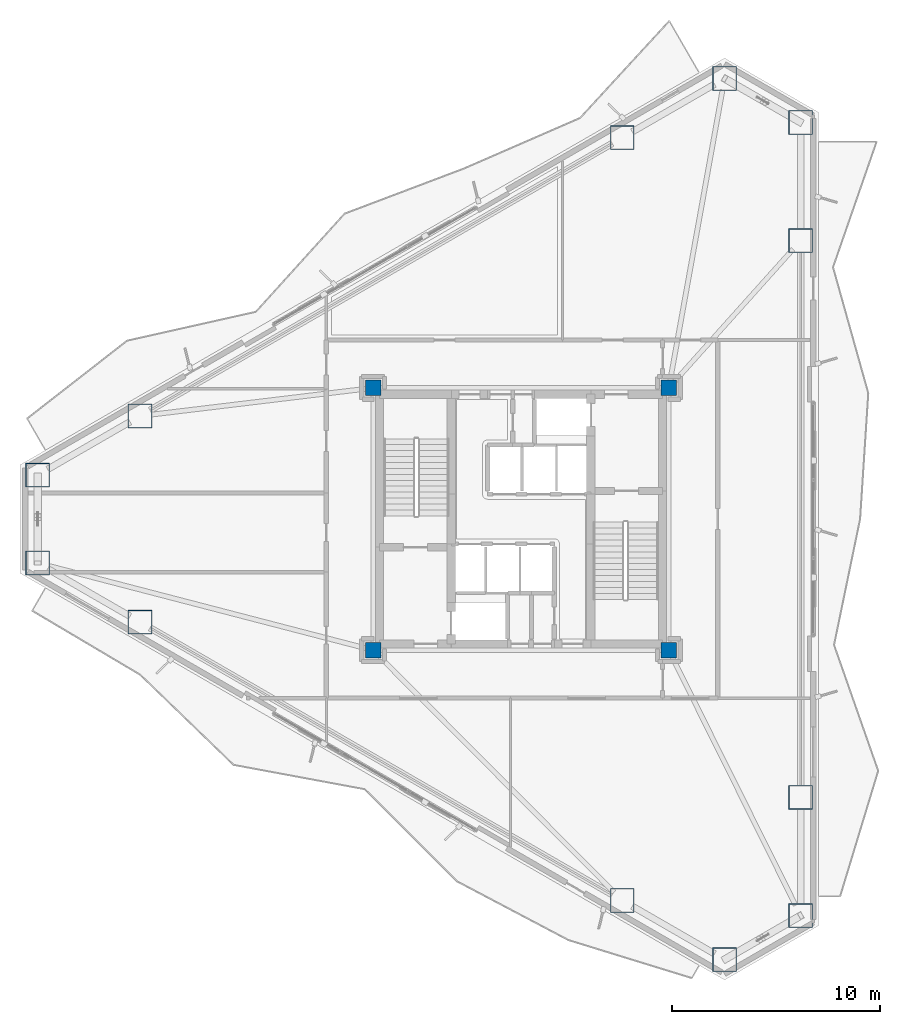
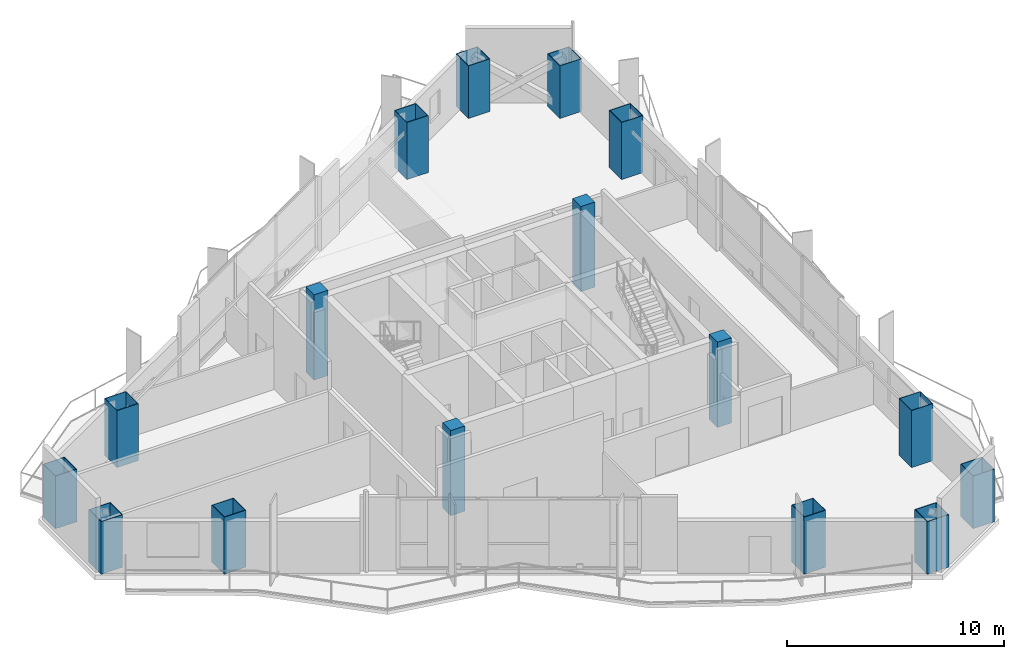
# One storey, part 1 of 20: 16 columns.
"""IFC4 building model written with IfcOpenShell, lengths in metres."""

from ifc_helpers import new_model, si_unit, direction, frame, origin, origin_2d, place, context, subcontext, project, spatial, rectangle, hollow_rectangle, extrude, material, material_profile, profile_set, type_object, element, save


model = new_model("IFC4")

# Units and contexts
model_context = context("Model", 3, precision=1e-05, world=origin(), true_north=direction((0.0, 1.0)))
body_context = subcontext(model_context, "Body", "Model", "MODEL_VIEW")
ifc_project = project(units=[si_unit("LENGTHUNIT", "METRE"), si_unit("AREAUNIT", "SQUARE_METRE"), si_unit("VOLUMEUNIT", "CUBIC_METRE"), si_unit("PLANEANGLEUNIT", "RADIAN"), si_unit("MASSUNIT", "GRAM", prefix="KILO")], contexts=[model_context])

# Site, building, storey
site_placement = place(None, origin())
site = spatial("IfcSite", under=ifc_project, at=site_placement, CompositionType="ELEMENT")
building_placement = place(site_placement, origin())
building = spatial("IfcBuilding", under=site, at=building_placement, Name="Mersakhor Tower and Convention Hall", CompositionType="ELEMENT")
storey_placement = place(building_placement, frame((0.0, 0.0, 116.39990234375)))
storey = spatial("IfcBuildingStorey", under=building, at=storey_placement, Name="L32", CompositionType="ELEMENT", Elevation=116.39990234375)

# Columns
ifc_material_1 = material(Name="Concrete C60/75 in S460M steel box", Category="concrete")
ifc_material_profile_1 = material_profile(ifc_material_1, hollow_rectangle(XDim=1.14990234375, YDim=1.14990234375, WallThickness=0.031982421875, at=origin_2d()), Name="SHS 1150x1150x32")
ifc_profile_set_1 = profile_set([ifc_material_profile_1], Name="Concrete C60/75 in S460M steel box")
column_type_1 = type_object("IfcColumnType", Name="COL-CFT-1150", PredefinedType="COLUMN", material=ifc_profile_set_1)
column_1_placement = place(storey_placement, frame((5.78662109375, 28.86083984375, 0.0), z_axis=(0.0, 0.0, 1.0), x_axis=(1.0, 0.0, 0.0)))
element("IfcColumn", 1, at=column_1_placement, inside=storey, type_object=column_type_1, Name="L32 Perimeter Mega-Column MC-01", PredefinedType="COLUMN", context=body_context, shape_type="SweptSolid", body=[
    extrude(hollow_rectangle(XDim=1.14990234375, YDim=1.14990234375, WallThickness=0.031982421875, at=origin_2d()), origin(), (0.0, 0.0, 1.0), 2.960205078125),
])
for number, where, z_axis, x_axis, name in (
    (2, (10.702392578125, 31.698974609375, 0.0), (0.0, 0.0, 1.0), (1.0, 0.0, 0.0), "L32 Perimeter Mega-Column MC-02"),
    (3, (33.86279296875, 45.070556640625, 0.0), (0.0, 0.0, 1.0), (1.0, 0.0, 0.0), "L32 Perimeter Mega-Column MC-03"),
):
    element("IfcColumn", number, at=place(storey_placement, frame(where, z_axis=z_axis, x_axis=x_axis)), inside=storey, type_object=column_type_1, Name=name, PredefinedType="COLUMN", context=body_context, shape_type="SweptSolid", body=[
        extrude(hollow_rectangle(XDim=1.14990234375, YDim=1.14990234375, WallThickness=0.031982421875, at=origin_2d()), origin(), (0.0, 0.0, 1.0), 3.210205078125),
    ])
for number, where, z_axis, x_axis, name in (
    (4, (38.77880859375, 47.90869140625, 0.0), (0.0, 0.0, 1.0), (1.0, 0.0, 0.0), "L32 Perimeter Mega-Column MC-04"),
    (5, (42.4345703125, 45.798095703125, 0.0), (0.0, 0.0, 1.0), (1.0, 0.0, 0.0), "L32 Perimeter Mega-Column MC-05"),
):
    element("IfcColumn", number, at=place(storey_placement, frame(where, z_axis=z_axis, x_axis=x_axis)), inside=storey, type_object=column_type_1, Name=name, PredefinedType="COLUMN", context=body_context, shape_type="SweptSolid", body=[
        extrude(hollow_rectangle(XDim=1.14990234375, YDim=1.14990234375, WallThickness=0.031982421875, at=origin_2d()), origin(), (0.0, 0.0, 1.0), 2.960205078125),
    ])
for number, where, z_axis, x_axis, name in (
    (6, (42.4345703125, 40.12158203125, 0.0), (0.0, 0.0, 1.0), (1.0, 0.0, 0.0), "L32 Perimeter Mega-Column MC-06"),
    (7, (42.4345703125, 13.37841796875, 0.0), (0.0, 0.0, 1.0), (1.0, 0.0, 0.0), "L32 Perimeter Mega-Column MC-07"),
):
    element("IfcColumn", number, at=place(storey_placement, frame(where, z_axis=z_axis, x_axis=x_axis)), inside=storey, type_object=column_type_1, Name=name, PredefinedType="COLUMN", context=body_context, shape_type="SweptSolid", body=[
        extrude(hollow_rectangle(XDim=1.14990234375, YDim=1.14990234375, WallThickness=0.031982421875, at=origin_2d()), origin(), (0.0, 0.0, 1.0), 3.210205078125),
    ])
for number, where, z_axis, x_axis, name in (
    (8, (42.4345703125, 7.701904296875, 0.0), (0.0, 0.0, 1.0), (1.0, 0.0, 0.0), "L32 Perimeter Mega-Column MC-08"),
    (9, (38.77880859375, 5.59130859375, 0.0), (0.0, 0.0, 1.0), (1.0, 0.0, 0.0), "L32 Perimeter Mega-Column MC-09"),
):
    element("IfcColumn", number, at=place(storey_placement, frame(where, z_axis=z_axis, x_axis=x_axis)), inside=storey, type_object=column_type_1, Name=name, PredefinedType="COLUMN", context=body_context, shape_type="SweptSolid", body=[
        extrude(hollow_rectangle(XDim=1.14990234375, YDim=1.14990234375, WallThickness=0.031982421875, at=origin_2d()), origin(), (0.0, 0.0, 1.0), 2.960205078125),
    ])
for number, where, z_axis, x_axis, name in (
    (10, (33.86279296875, 8.429443359375, 0.0), (0.0, 0.0, 1.0), (1.0, 0.0, 0.0), "L32 Perimeter Mega-Column MC-10"),
    (11, (10.702392578125, 21.801025390625, 0.0), (0.0, 0.0, 1.0), (1.0, 0.0, 0.0), "L32 Perimeter Mega-Column MC-11"),
):
    element("IfcColumn", number, at=place(storey_placement, frame(where, z_axis=z_axis, x_axis=x_axis)), inside=storey, type_object=column_type_1, Name=name, PredefinedType="COLUMN", context=body_context, shape_type="SweptSolid", body=[
        extrude(hollow_rectangle(XDim=1.14990234375, YDim=1.14990234375, WallThickness=0.031982421875, at=origin_2d()), origin(), (0.0, 0.0, 1.0), 3.210205078125),
    ])
column_2_placement = place(storey_placement, frame((5.78662109375, 24.63916015625, 0.0), z_axis=(0.0, 0.0, 1.0), x_axis=(1.0, 0.0, 0.0)))
element("IfcColumn", 12, at=column_2_placement, inside=storey, type_object=column_type_1, Name="L32 Perimeter Mega-Column MC-12", PredefinedType="COLUMN", context=body_context, shape_type="SweptSolid", body=[
    extrude(hollow_rectangle(XDim=1.14990234375, YDim=1.14990234375, WallThickness=0.031982421875, at=origin_2d()), origin(), (0.0, 0.0, 1.0), 2.960205078125),
])
ifc_material_2 = material(Name="Concrete C50/60", Category="concrete")
ifc_material_profile_2 = material_profile(ifc_material_2, rectangle(XDim=0.75, YDim=0.75, at=origin_2d()), Name="RC 750x750")
ifc_profile_set_2 = profile_set([ifc_material_profile_2], Name="Concrete C50/60")
column_type_2 = type_object("IfcColumnType", Name="COL-RC-750", PredefinedType="COLUMN", material=ifc_profile_set_2)
for number, where, z_axis, x_axis, name in (
    (13, (21.89990234375, 20.449951171875, 0.0), (0.0, 0.0, 1.0), (1.0, 0.0, 0.0), "L32 Core Corner Column CC-1"),
    (14, (21.89990234375, 33.050048828125, 0.0), (0.0, 0.0, 1.0), (1.0, 0.0, 0.0), "L32 Core Corner Column CC-2"),
    (15, (36.10009765625, 33.050048828125, 0.0), (0.0, 0.0, 1.0), (1.0, 0.0, 0.0), "L32 Core Corner Column CC-3"),
    (16, (36.10009765625, 20.449951171875, 0.0), (0.0, 0.0, 1.0), (1.0, 0.0, 0.0), "L32 Core Corner Column CC-4"),
):
    element("IfcColumn", number, at=place(storey_placement, frame(where, z_axis=z_axis, x_axis=x_axis)), inside=storey, type_object=column_type_2, Name=name, PredefinedType="COLUMN", context=body_context, shape_type="SweptSolid", body=[
        extrude(rectangle(XDim=0.75, YDim=0.75, at=origin_2d()), origin(), (0.0, 0.0, 1.0), 4.800048828125),
    ])

save(model, "model.ifc")
